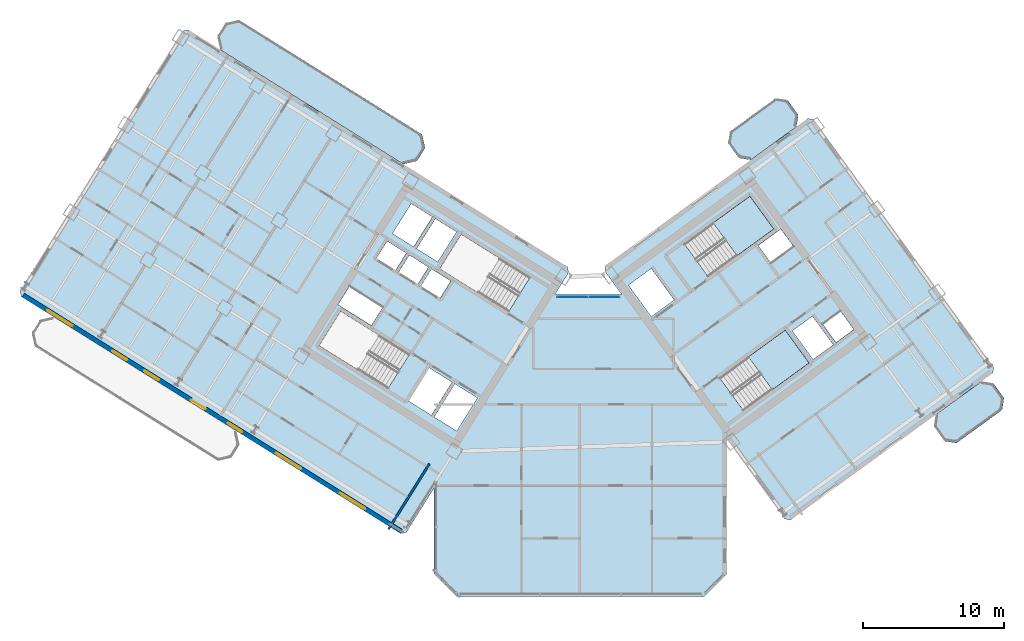
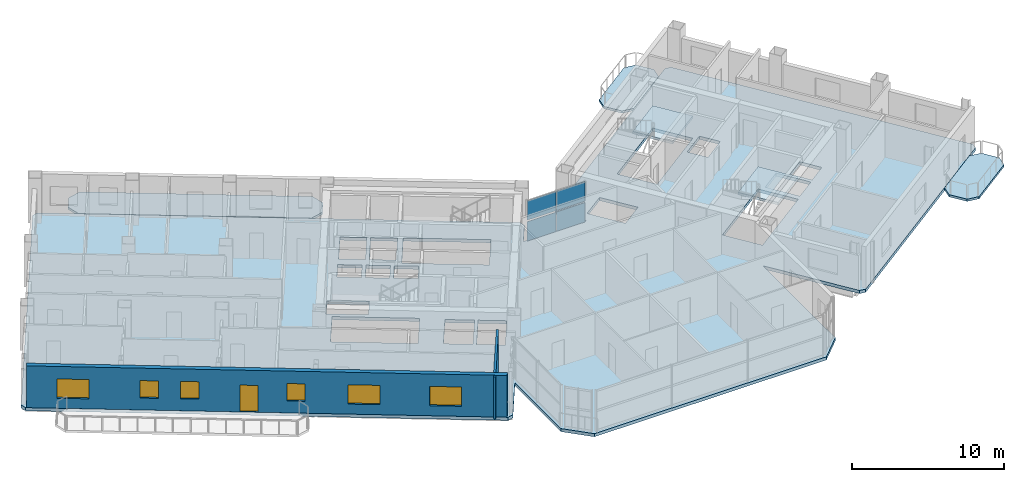
# One storey, part 15 of 25: 6 slabs, 6 windows, 4 plates, 2 walls, 1 door, 7 openings, 3 elements without a shape of their own.
"""IFC4 building model written with IfcOpenShell, lengths in metres."""

from ifc_helpers import new_model, si_unit, direction, frame, frame_2d, origin, origin_2d, place, context, subcontext, project, spatial, polyline, rectangle, outline, extrude, source, transform, mapped, material, layer, layer_set, type_object, element, fill, aggregate, save


model = new_model("IFC4")

# Units and contexts
model_context = context("Model", 3, precision=1e-05, world=origin(), true_north=direction((0.0, 1.0)))
body_context = subcontext(model_context, "Body", "Model", "MODEL_VIEW")
ifc_project = project(units=[si_unit("LENGTHUNIT", "METRE"), si_unit("AREAUNIT", "SQUARE_METRE"), si_unit("VOLUMEUNIT", "CUBIC_METRE"), si_unit("PLANEANGLEUNIT", "RADIAN"), si_unit("MASSUNIT", "GRAM", prefix="KILO")], contexts=[model_context])

# Site, building, storey
site_placement = place(None, origin())
site = spatial("IfcSite", under=ifc_project, at=site_placement, CompositionType="ELEMENT")
building_placement = place(site_placement, origin())
building = spatial("IfcBuilding", under=site, at=building_placement, Name="Tlacorven Tower", CompositionType="ELEMENT")
storey_placement = place(building_placement, frame((0.0, 0.0, 155.10009765625)))
storey = spatial("IfcBuildingStorey", under=building, at=storey_placement, Name="L39", CompositionType="ELEMENT", Elevation=155.10009765625)

# Slabs
ifc_material_1 = material(Name="Precast concrete C45/55", Category="concrete")
ifc_layer_1 = layer(ifc_material_1, 0.179931640625)
ifc_layer_set_1 = layer_set([ifc_layer_1], Name="Precast concrete C45/55")
slab_type_1 = type_object("IfcSlabType", Name="SL-BAL-180", PredefinedType="USERDEFINED", material=ifc_layer_set_1)
slab_1_placement = place(storey_placement, frame((0.0, 0.0, -0.18017578125)))
element("IfcSlab", 1, at=slab_1_placement, inside=storey, type_object=slab_type_1, Name="L39 West Wing Balcony Ribbon IN", ObjectType="BALCONY SLAB", PredefinedType="USERDEFINED", context=body_context, shape_type="SweptSolid", body=[
    extrude(outline(polyline([(30.756591796875, 34.57763671875), (17.781494140625, 42.685546875), (16.81689453125, 42.462890625), (16.236572265625, 41.5341796875), (16.459228515625, 40.569580078125), (29.434326171875, 32.4619140625), (30.39892578125, 32.6845703125), (30.979248046875, 33.613037109375), (30.756591796875, 34.57763671875)])), origin(), (0.0, 0.0, 1.0), 0.18017578125),
])
slab_2_placement = place(storey_placement, frame((0.0, 0.0, -0.18017578125)))
element("IfcSlab", 2, at=slab_2_placement, inside=storey, type_object=slab_type_1, Name="L39 East Wing Balcony Ribbon OUT", ObjectType="BALCONY SLAB", PredefinedType="USERDEFINED", context=body_context, shape_type="SweptSolid", body=[
    extrude(outline(polyline([(68.669921875, 12.678955078125), (71.906005859375, 15.0302734375), (72.03857421875, 15.8681640625), (71.27734375, 16.916015625), (70.439453125, 17.048583984375), (67.203369140625, 14.697509765625), (67.070556640625, 13.859375), (67.831787109375, 12.811767578125), (68.669921875, 12.678955078125)])), origin(), (0.0, 0.0, 1.0), 0.18017578125),
])
slab_3_placement = place(storey_placement, frame((0.0, 0.0, -0.18017578125)))
element("IfcSlab", 3, at=slab_3_placement, inside=storey, type_object=slab_type_1, Name="L39 East Wing Balcony Ribbon IN", ObjectType="BALCONY SLAB", PredefinedType="USERDEFINED", context=body_context, shape_type="SweptSolid", body=[
    extrude(outline(polyline([(54.078125, 32.762939453125), (57.314208984375, 35.114013671875), (57.44677734375, 35.9521484375), (56.685791015625, 36.999755859375), (55.84765625, 37.132568359375), (52.611572265625, 34.78125), (52.478759765625, 33.943359375), (53.239990234375, 32.8955078125), (54.078125, 32.762939453125)])), origin(), (0.0, 0.0, 1.0), 0.18017578125),
])

# Stair, slab
ifc_material_2 = material(Name="Concrete C40/50", Category="concrete")
stair_type = type_object("IfcStairType", Name="ST-CORE-DLG", PredefinedType="HALF_TURN_STAIR", material=ifc_material_2)
stair_1_placement = place(storey_placement, origin())
stair_1 = element("IfcStair", 4, at=stair_1_placement, inside=storey, type_object=stair_type, Name="L39 Protected Exit Stair East 1", PredefinedType="HALF_TURN_STAIR")
ifc_layer_2 = layer(ifc_material_2, 0.199951171875)
ifc_layer_set_2 = layer_set([ifc_layer_2], Name="Concrete C40/50")
slab_type_2 = type_object("IfcSlabType", Name="SL-LND-200", PredefinedType="LANDING", material=ifc_layer_set_2)
slab_4_placement = place(storey_placement, frame((0.0, 0.0, 1.599853515625)))
slab_4 = element("IfcSlab", 5, at=slab_4_placement, type_object=slab_type_2, Name="ST-E1 landing 1", PredefinedType="LANDING", context=body_context, shape_type="SweptSolid", body=[
    extrude(outline(polyline([(53.09765625, 25.962890625), (55.7109375, 27.861572265625), (54.01806640625, 30.19140625), (51.40478515625, 28.29296875), (53.09765625, 25.962890625)])), origin(), (0.0, 0.0, 1.0), 0.199951171875),
])
aggregate(stair_1, [slab_4])

stair_2_placement = place(storey_placement, origin())
stair_2 = element("IfcStair", 6, at=stair_2_placement, inside=storey, type_object=stair_type, Name="L39 Protected Exit Stair East 2", PredefinedType="HALF_TURN_STAIR")
slab_5_placement = place(storey_placement, frame((0.0, 0.0, 1.599853515625)))
slab_5 = element("IfcSlab", 7, at=slab_5_placement, type_object=slab_type_2, Name="ST-E2 landing 1", PredefinedType="LANDING", context=body_context, shape_type="SweptSolid", body=[
    extrude(outline(polyline([(55.601806640625, 16.4599609375), (58.21484375, 18.3583984375), (56.52197265625, 20.6884765625), (53.908935546875, 18.789794921875), (55.601806640625, 16.4599609375)])), origin(), (0.0, 0.0, 1.0), 0.199951171875),
])
aggregate(stair_2, [slab_5])

# Slab
ifc_layer_3 = layer(ifc_material_2, 0.25)
ifc_layer_set_3 = layer_set([ifc_layer_3], Name="Concrete C40/50")
slab_type_3 = type_object("IfcSlabType", Name="SL-TWR-250", PredefinedType="FLOOR", material=ifc_layer_set_3)
slab_6_placement = place(storey_placement, frame((0.0, 0.0, -0.25)))
element("IfcSlab", 8, at=slab_6_placement, inside=storey, type_object=slab_type_3, Name="L39 Boomerang Tower Floor Slab", PredefinedType="FLOOR", context=body_context, shape_type="SweptSolid", body=[
    extrude(outline(polyline([(52.39990234375, 3.39990234375), (50.800048828125, 1.800048828125), (33.199951171875, 1.800048828125), (31.60009765625, 3.39990234375), (31.60009765625, 9.470703125), (29.652587890625, 6.35400390625), (29.2392578125, 6.258544921875), (2.339111328125, 23.067626953125), (2.24365234375, 23.481201171875), (13.75341796875, 41.900634765625), (14.1669921875, 41.99609375), (41.06689453125, 25.18701171875), (41.162353515625, 24.773681640625), (40.178955078125, 23.199951171875), (44.932373046875, 23.199951171875), (43.723876953125, 24.86328125), (43.790283203125, 25.2822265625), (58.1259765625, 35.69775390625), (58.545166015625, 35.63134765625), (71.311767578125, 18.0595703125), (71.245361328125, 17.640380859375), (56.90966796875, 7.224853515625), (56.49072265625, 7.291259765625), (52.39990234375, 12.921630859375), (52.39990234375, 3.39990234375)]), holes=[polyline([(29.865478515625, 18.979736328125), (24.9892578125, 22.02685546875), (23.463134765625, 19.58447265625), (28.33935546875, 16.537353515625), (29.865478515625, 18.979736328125)]), polyline([(38.4169921875, 24.4375), (33.540771484375, 27.484375), (32.0146484375, 25.0419921875), (36.890869140625, 21.9951171875), (38.4169921875, 24.4375)]), polyline([(51.05908203125, 24.481689453125), (55.7109375, 27.861572265625), (54.01806640625, 30.19140625), (49.3662109375, 26.811767578125), (51.05908203125, 24.481689453125)]), polyline([(53.56298828125, 14.978759765625), (58.21484375, 18.3583984375), (56.52197265625, 20.6884765625), (51.8701171875, 17.30859375), (53.56298828125, 14.978759765625)]), polyline([(34.682373046875, 15.87548828125), (33.088134765625, 16.871826171875), (31.62548828125, 14.531005859375), (33.2197265625, 13.534912109375), (34.682373046875, 15.87548828125)]), polyline([(32.884521484375, 16.9990234375), (31.2392578125, 18.02685546875), (29.77685546875, 15.686279296875), (31.421875, 14.658203125), (32.884521484375, 16.9990234375)]), polyline([(47.0234375, 21.648681640625), (48.6416015625, 22.82421875), (47.019287109375, 25.05712890625), (45.401123046875, 23.881591796875), (47.0234375, 21.648681640625)]), polyline([(33.197265625, 27.65185546875), (31.704833984375, 28.58447265625), (30.3798828125, 26.46435546875), (31.87255859375, 25.53173828125), (33.197265625, 27.65185546875)]), polyline([(31.484375, 28.722412109375), (29.99169921875, 29.655029296875), (28.6669921875, 27.534912109375), (30.159423828125, 26.602294921875), (31.484375, 28.722412109375)]), polyline([(32.794921875, 24.17724609375), (31.43798828125, 25.025146484375), (30.685546875, 23.82080078125), (32.042236328125, 22.972900390625), (32.794921875, 24.17724609375)]), polyline([(31.217529296875, 25.162841796875), (29.860595703125, 26.0107421875), (29.108154296875, 24.806396484375), (30.465087890625, 23.958740234375), (31.217529296875, 25.162841796875)]), polyline([(29.64013671875, 26.1484375), (28.283203125, 26.996337890625), (27.53076171875, 25.792236328125), (28.8876953125, 24.9443359375), (29.64013671875, 26.1484375)]), polyline([(58.498779296875, 18.614013671875), (59.922607421875, 19.648681640625), (58.453125, 21.671142578125), (57.029296875, 20.63671875), (58.498779296875, 18.614013671875)]), polyline([(27.96142578125, 22.2919921875), (25.603759765625, 23.76513671875), (24.80908203125, 22.4931640625), (27.16650390625, 21.02001953125), (27.96142578125, 22.2919921875)]), polyline([(55.490478515625, 25.4765625), (57.092529296875, 26.640380859375), (56.210693359375, 27.85400390625), (54.60888671875, 26.690185546875), (55.490478515625, 25.4765625)]), polyline([(60.12109375, 19.817626953125), (61.38330078125, 20.734619140625), (60.45458984375, 22.012939453125), (59.192626953125, 21.095947265625), (60.12109375, 19.817626953125)])]), origin(), (0.0, 0.0, 1.0), 0.25),
])

# Curtain wall, plates
ifc_material_3 = material(Name="Dark solar low-E double glazing in aluminium frame", Category="aluminium")
curtain_wall_type = type_object("IfcCurtainWallType", Name="CW-TWR-MID", PredefinedType="USERDEFINED", material=ifc_material_3)
curtain_wall_placement = place(storey_placement, origin())
curtain_wall = element("IfcCurtainWall", 9, at=curtain_wall_placement, inside=storey, type_object=curtain_wall_type, Name="L39 CW-TWR-MID Curtain Wall 177", ObjectType="UNITISED CURTAIN WALL", PredefinedType="USERDEFINED")
ifc_material_4 = material(Name="High-wind dark solar tempered low-E glazing", Category="glass")
ifc_layer_4 = layer(ifc_material_4, 0.028076171875)
ifc_layer_set_4 = layer_set([ifc_layer_4], Name="High-wind dark solar tempered low-E glazing")
plate_type = type_object("IfcPlateType", Name="CWP-03", PredefinedType="CURTAIN_PANEL", material=ifc_layer_set_4)
shared_shape_1 = source(origin(), body_context, "Body", "SweptSolid", [
    extrude(rectangle(XDim=2.178466796875, YDim=0.028076171875, at=origin_2d()), origin(), (0.0, 0.0, 1.0), 1.552978515625),
])
plate_1_placement = place(storey_placement, frame((41.447998046875, 23.0400390625, 0.06103515625), z_axis=(0.0, 0.0, 1.0), x_axis=(1.0, 0.0, 0.0)))
plate_1 = element("IfcPlate", 10, at=plate_1_placement, type_object=plate_type, Name="CW-L39-177 Glazing Panel 1", PredefinedType="CURTAIN_PANEL", context=body_context, shape_type="MappedRepresentation", body=[
    mapped(shared_shape_1, transform((0.0, 0.0, 0.0), scale=1.0)),
])
plate_2_placement = place(storey_placement, frame((41.447998046875, 23.0400390625, 1.73583984375), z_axis=(0.0, 0.0, 1.0), x_axis=(1.0, 0.0, 0.0)))
plate_2 = element("IfcPlate", 11, at=plate_2_placement, type_object=plate_type, Name="CW-L39-177 Glazing Panel 2", PredefinedType="CURTAIN_PANEL", context=body_context, shape_type="MappedRepresentation", body=[
    mapped(shared_shape_1, transform((0.0, 0.0, 0.0), scale=1.0)),
])
plate_3_placement = place(storey_placement, frame((43.673583984375, 23.0400390625, 0.06103515625), z_axis=(0.0, 0.0, 1.0), x_axis=(1.0, 0.0, 0.0)))
plate_3 = element("IfcPlate", 12, at=plate_3_placement, type_object=plate_type, Name="CW-L39-177 Glazing Panel 3", PredefinedType="CURTAIN_PANEL", context=body_context, shape_type="MappedRepresentation", body=[
    mapped(shared_shape_1, transform((0.0, 0.0, 0.0), scale=1.0)),
])
plate_4_placement = place(storey_placement, frame((43.673583984375, 23.0400390625, 1.73583984375), z_axis=(0.0, 0.0, 1.0), x_axis=(1.0, 0.0, 0.0)))
plate_4 = element("IfcPlate", 13, at=plate_4_placement, type_object=plate_type, Name="CW-L39-177 Glazing Panel 4", PredefinedType="CURTAIN_PANEL", context=body_context, shape_type="MappedRepresentation", body=[
    mapped(shared_shape_1, transform((0.0, 0.0, 0.0), scale=1.0)),
])
aggregate(curtain_wall, [plate_1, plate_2, plate_3, plate_4])

# Wall
ifc_material_5 = material(Name="Gypsum plasterboard acoustic partition", Category="gypsum")
ifc_layer_5 = layer(ifc_material_5, 0.159912109375)
ifc_layer_set_5 = layer_set([ifc_layer_5], Name="Gypsum plasterboard acoustic partition")
wall_type_1 = type_object("IfcWallType", Name="WL-DEM-160", PredefinedType="PARTITIONING", material=ifc_layer_set_5)
wall_1_placement = place(storey_placement, frame((31.282470703125, 11.2080078125, 0.0), z_axis=(0.0, 0.0, 1.0), x_axis=(-0.529938869374, -0.84803584519, 0.0)))
element("IfcWall", 14, at=wall_1_placement, inside=storey, type_object=wall_type_1, Name="L39 WC West Throat Wall", PredefinedType="PARTITIONING", context=body_context, shape_type="SweptSolid", body=[
    extrude(rectangle(XDim=5.47998046875, YDim=0.159912109375, at=frame_2d((2.739990234375, 0.0))), origin(), (0.0, 0.0, 1.0), 3.33984375),
])

# Wall, openings, door, windows
ifc_layer_6 = layer(ifc_material_1, 0.320068359375)
ifc_layer_set_6 = layer_set([ifc_layer_6], Name="Precast concrete C45/55")
wall_type_2 = type_object("IfcWallType", Name="WL-EXT-320", PredefinedType="STANDARD", material=ifc_layer_set_6)
wall_2_placement = place(storey_placement, frame((29.267822265625, 6.429443359375, 0.0), z_axis=(0.0, 0.0, 1.0), x_axis=(-0.848049971435, 0.529916263149, 0.0)))
wall_2 = element("IfcWall", 15, at=wall_2_placement, inside=storey, type_object=wall_type_2, Name="L39 Masonry-Frame Recessed Facade Wall 1", PredefinedType="STANDARD", context=body_context, shape_type="SweptSolid", body=[
    extrude(rectangle(XDim=31.587646484375, YDim=0.320068359375, at=frame_2d((15.7939453125, 0.0))), origin(), (0.0, 0.0, 1.0), 3.349853515625),
])
opening_1_placement = place(wall_2_placement, frame((16.36181640625, 0.0, 0.0)))
opening_1 = element("IfcOpeningElement", 16, at=opening_1_placement, cuts=wall_2, Name="Opening D05", PredefinedType="OPENING", context=body_context, shape_type="SweptSolid", body=[
    extrude(rectangle(XDim=1.199951171875, YDim=2.14990234375, at=frame_2d((0.60009765625, 1.074951171875))), frame((0.0, 0.169921875, 0.0), z_axis=(0.0, -1.0, 0.0), x_axis=(1.0, 0.0, 0.0)), (0.0, 0.0, 1.0), 0.340087890625),
])
opening_2_placement = place(wall_2_placement, frame((2.98876953125, 0.0, 0.800048828125)))
opening_2 = element("IfcOpeningElement", 17, at=opening_2_placement, cuts=wall_2, Name="Opening WN04", PredefinedType="OPENING", context=body_context, shape_type="SweptSolid", body=[
    extrude(rectangle(XDim=2.10009765625, YDim=1.550048828125, at=frame_2d((1.050048828125, 0.77490234375))), frame((0.0, 0.169921875, 0.0), z_axis=(0.0, -1.0, 0.0), x_axis=(1.0, 0.0, 0.0)), (0.0, 0.0, 1.0), 0.340087890625),
])
opening_3_placement = place(wall_2_placement, frame((8.358642578125, 0.0, 0.800048828125)))
opening_3 = element("IfcOpeningElement", 18, at=opening_3_placement, cuts=wall_2, Name="Opening WN04", PredefinedType="OPENING", context=body_context, shape_type="SweptSolid", body=[
    extrude(rectangle(XDim=2.10009765625, YDim=1.550048828125, at=frame_2d((1.050048828125, 0.77490234375))), frame((0.0, 0.169921875, 0.0), z_axis=(0.0, -1.0, 0.0), x_axis=(1.0, 0.0, 0.0)), (0.0, 0.0, 1.0), 0.340087890625),
])
opening_4_placement = place(wall_2_placement, frame((13.28369140625, 0.0, 0.949951171875)))
opening_4 = element("IfcOpeningElement", 19, at=opening_4_placement, cuts=wall_2, Name="Opening WN03", PredefinedType="OPENING", context=body_context, shape_type="SweptSolid", body=[
    extrude(rectangle(XDim=1.199951171875, YDim=1.39990234375, at=frame_2d((0.60009765625, 0.699951171875))), frame((0.0, 0.169921875, 0.0), z_axis=(0.0, -1.0, 0.0), x_axis=(1.0, 0.0, 0.0)), (0.0, 0.0, 1.0), 0.340087890625),
])
opening_5_placement = place(wall_2_placement, frame((20.2587890625, 0.0, 0.949951171875)))
opening_5 = element("IfcOpeningElement", 20, at=opening_5_placement, cuts=wall_2, Name="Opening WN03", PredefinedType="OPENING", context=body_context, shape_type="SweptSolid", body=[
    extrude(rectangle(XDim=1.199951171875, YDim=1.39990234375, at=frame_2d((0.60009765625, 0.699951171875))), frame((0.0, 0.169921875, 0.0), z_axis=(0.0, -1.0, 0.0), x_axis=(1.0, 0.0, 0.0)), (0.0, 0.0, 1.0), 0.340087890625),
])
opening_6_placement = place(wall_2_placement, frame((22.9287109375, 0.0, 0.949951171875)))
opening_6 = element("IfcOpeningElement", 21, at=opening_6_placement, cuts=wall_2, Name="Opening WN03", PredefinedType="OPENING", context=body_context, shape_type="SweptSolid", body=[
    extrude(rectangle(XDim=1.199951171875, YDim=1.39990234375, at=frame_2d((0.60009765625, 0.699951171875))), frame((0.0, 0.169921875, 0.0), z_axis=(0.0, -1.0, 0.0), x_axis=(1.0, 0.0, 0.0)), (0.0, 0.0, 1.0), 0.340087890625),
])
opening_7_placement = place(wall_2_placement, frame((27.480712890625, 0.0, 0.800048828125)))
opening_7 = element("IfcOpeningElement", 22, at=opening_7_placement, cuts=wall_2, Name="Opening WN04", PredefinedType="OPENING", context=body_context, shape_type="SweptSolid", body=[
    extrude(rectangle(XDim=2.10009765625, YDim=1.550048828125, at=frame_2d((1.050048828125, 0.77490234375))), frame((0.0, 0.169921875, 0.0), z_axis=(0.0, -1.0, 0.0), x_axis=(1.0, 0.0, 0.0)), (0.0, 0.0, 1.0), 0.340087890625),
])
ifc_material_6 = material(Name="Powder-coated aluminium and timber door", Category="wood")
door_type = type_object("IfcDoorType", Name="DR-EXT-BALC-1200", OperationType="NOTDEFINED", PredefinedType="DOOR", material=ifc_material_6)
shared_shape_2 = source(origin(), body_context, "Body", "SweptSolid", [
    extrude(rectangle(XDim=1.199951171875, YDim=2.14990234375, at=frame_2d((0.60009765625, 1.074951171875))), frame((0.0, 0.02490234375, 0.0), z_axis=(0.0, -1.0, 0.0), x_axis=(1.0, 0.0, 0.0)), (0.0, 0.0, 1.0), 0.050048828125),
])
door_placement = place(opening_1_placement, origin())
door = element("IfcDoor", 23, at=door_placement, inside=storey, type_object=door_type, Name="L39 Outdoor Access Door BAL-L39-W-OUT", OperationType="SINGLE_SWING_LEFT", OverallHeight=2.14990234375, OverallWidth=1.199951171875, PredefinedType="DOOR", context=body_context, shape_type="MappedRepresentation", body=[
    mapped(shared_shape_2, transform((0.0, 0.0, 0.0), scale=1.0)),
])
fill(opening_1, door)
ifc_material_7 = material(Name="Dark solar low-E double glazing in anodised aluminium frame", Category="aluminium")
window_type_1 = type_object("IfcWindowType", Name="WN-APT-2100X1750", PartitioningType="SINGLE_PANEL", PredefinedType="WINDOW", material=ifc_material_7)
shared_shape_3 = source(origin(), body_context, "Body", "SweptSolid", [
    extrude(rectangle(XDim=2.10009765625, YDim=1.550048828125, at=frame_2d((1.050048828125, 0.77490234375))), frame((0.0, 0.030029296875, 0.0), z_axis=(0.0, -1.0, 0.0), x_axis=(1.0, 0.0, 0.0)), (0.0, 0.0, 1.0), 0.06005859375),
])
window_1_placement = place(opening_2_placement, origin())
window_1 = element("IfcWindow", 24, at=window_1_placement, inside=storey, type_object=window_type_1, Name="L39 Recessed Masonry-Frame Window L39-01.1", OverallHeight=1.550048828125, OverallWidth=2.10009765625, PartitioningType="SINGLE_PANEL", PredefinedType="WINDOW", context=body_context, shape_type="MappedRepresentation", body=[
    mapped(shared_shape_3, transform((0.0, 0.0, 0.0), scale=1.0)),
])
fill(opening_2, window_1)
window_2_placement = place(opening_3_placement, origin())
window_2 = element("IfcWindow", 25, at=window_2_placement, inside=storey, type_object=window_type_1, Name="L39 Recessed Masonry-Frame Window L39-01.2", OverallHeight=1.550048828125, OverallWidth=2.10009765625, PartitioningType="SINGLE_PANEL", PredefinedType="WINDOW", context=body_context, shape_type="MappedRepresentation", body=[
    mapped(shared_shape_3, transform((0.0, 0.0, 0.0), scale=1.0)),
])
fill(opening_3, window_2)
window_3_placement = place(opening_7_placement, origin())
window_3 = element("IfcWindow", 26, at=window_3_placement, inside=storey, type_object=window_type_1, Name="L39 Recessed Masonry-Frame Window L39-01.6", OverallHeight=1.550048828125, OverallWidth=2.10009765625, PartitioningType="SINGLE_PANEL", PredefinedType="WINDOW", context=body_context, shape_type="MappedRepresentation", body=[
    mapped(shared_shape_3, transform((0.0, 0.0, 0.0), scale=1.0)),
])
fill(opening_7, window_3)
window_type_2 = type_object("IfcWindowType", Name="WN-APT-1200X1500", PartitioningType="SINGLE_PANEL", PredefinedType="WINDOW", material=ifc_material_7)
shared_shape_4 = source(origin(), body_context, "Body", "SweptSolid", [
    extrude(rectangle(XDim=1.199951171875, YDim=1.39990234375, at=frame_2d((0.60009765625, 0.699951171875))), frame((0.0, 0.030029296875, 0.0), z_axis=(0.0, -1.0, 0.0), x_axis=(1.0, 0.0, 0.0)), (0.0, 0.0, 1.0), 0.06005859375),
])
window_4_placement = place(opening_4_placement, origin())
window_4 = element("IfcWindow", 27, at=window_4_placement, inside=storey, type_object=window_type_2, Name="L39 Recessed Masonry-Frame Window L39-01.3", OverallHeight=1.39990234375, OverallWidth=1.199951171875, PartitioningType="SINGLE_PANEL", PredefinedType="WINDOW", context=body_context, shape_type="MappedRepresentation", body=[
    mapped(shared_shape_4, transform((0.0, 0.0, 0.0), scale=1.0)),
])
fill(opening_4, window_4)
window_5_placement = place(opening_5_placement, origin())
window_5 = element("IfcWindow", 28, at=window_5_placement, inside=storey, type_object=window_type_2, Name="L39 Recessed Masonry-Frame Window L39-01.4", OverallHeight=1.39990234375, OverallWidth=1.199951171875, PartitioningType="SINGLE_PANEL", PredefinedType="WINDOW", context=body_context, shape_type="MappedRepresentation", body=[
    mapped(shared_shape_4, transform((0.0, 0.0, 0.0), scale=1.0)),
])
fill(opening_5, window_5)
window_6_placement = place(opening_6_placement, origin())
window_6 = element("IfcWindow", 29, at=window_6_placement, inside=storey, type_object=window_type_2, Name="L39 Recessed Masonry-Frame Window L39-01.5", OverallHeight=1.39990234375, OverallWidth=1.199951171875, PartitioningType="SINGLE_PANEL", PredefinedType="WINDOW", context=body_context, shape_type="MappedRepresentation", body=[
    mapped(shared_shape_4, transform((0.0, 0.0, 0.0), scale=1.0)),
])
fill(opening_6, window_6)

save(model, "model.ifc")
